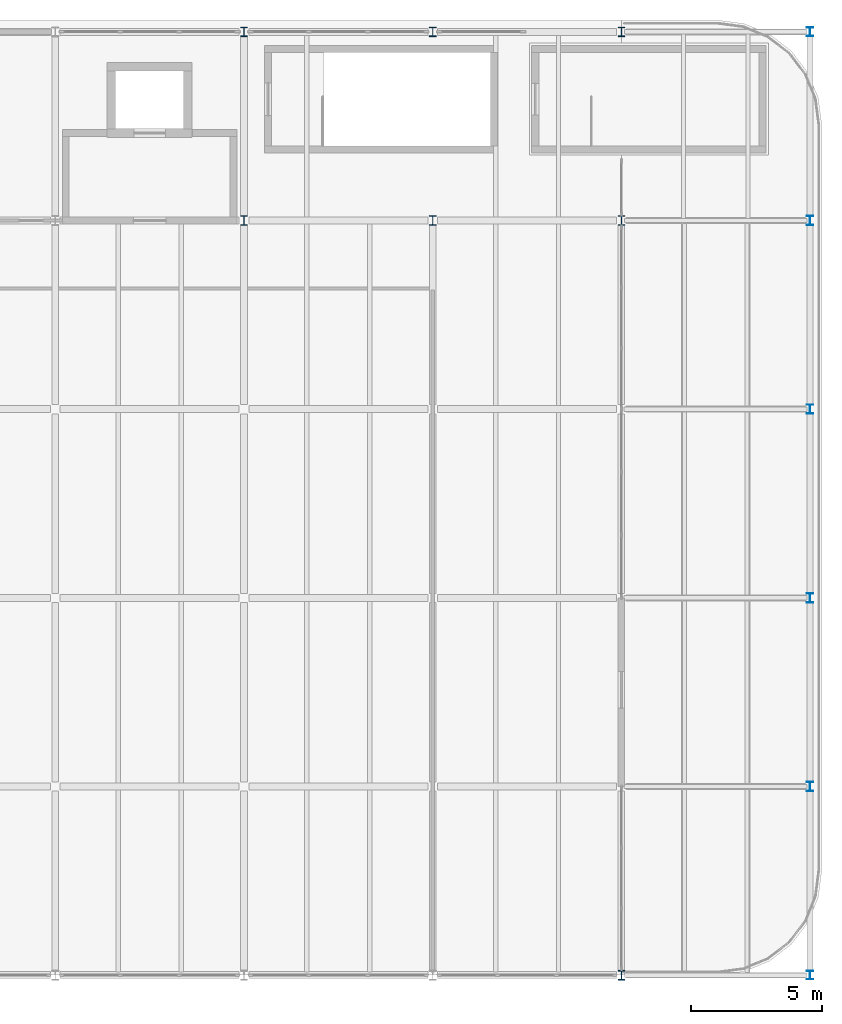
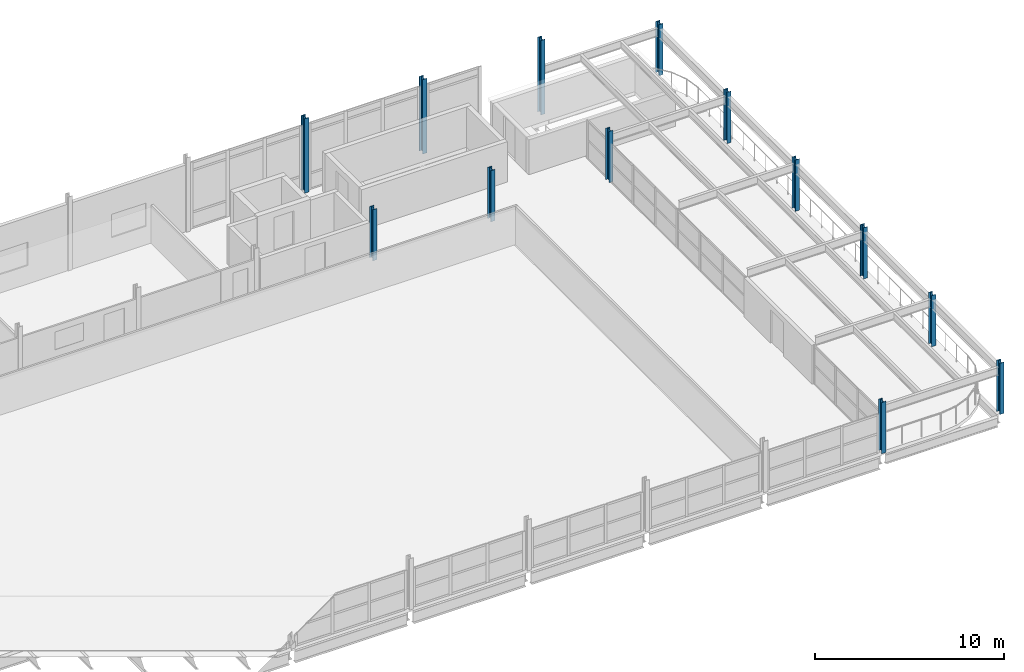
# One storey, part 5 of 25: 13 columns.
"""IFC4 building model written with IfcOpenShell, lengths in metres."""

from ifc_helpers import new_model, si_unit, direction, frame, origin, origin_2d, place, context, subcontext, project, spatial, i_section, extrude, material, material_profile, profile_set, type_object, element, save


model = new_model("IFC4")

# Units and contexts
model_context = context("Model", 3, precision=1e-05, world=origin(), true_north=direction((0.0, 1.0)))
body_context = subcontext(model_context, "Body", "Model", "MODEL_VIEW")
ifc_project = project(units=[si_unit("LENGTHUNIT", "METRE"), si_unit("AREAUNIT", "SQUARE_METRE"), si_unit("VOLUMEUNIT", "CUBIC_METRE"), si_unit("PLANEANGLEUNIT", "RADIAN"), si_unit("MASSUNIT", "GRAM", prefix="KILO")], contexts=[model_context])

# Site, building, storey
site_placement = place(None, origin())
site = spatial("IfcSite", under=ifc_project, at=site_placement, CompositionType="ELEMENT")
building_placement = place(site_placement, origin())
building = spatial("IfcBuilding", under=site, at=building_placement, Name="Vaelcorin Mobility Hub", CompositionType="ELEMENT")
storey_placement = place(building_placement, frame((0.0, 0.0, 21.0)))
storey = spatial("IfcBuildingStorey", under=building, at=storey_placement, Name="L05", CompositionType="ELEMENT", Elevation=21.0)

# Columns
ifc_material = material(Name="Steel ASTM A992 Grade 50", Category="steel")
ifc_material_profile_1 = material_profile(ifc_material, i_section(OverallWidth=0.25390625, OverallDepth=0.35595703125, WebThickness=0.010498046875, FlangeThickness=0.018310546875, FilletRadius=0.014892578125, at=origin_2d()), Name="W14X68")
ifc_profile_set_1 = profile_set([ifc_material_profile_1], Name="Steel ASTM A992 Grade 50")
column_type_1 = type_object("IfcColumnType", Name="COL-W14X68", PredefinedType="COLUMN", material=ifc_profile_set_1)
for number, where, z_axis, x_axis, name in (
    (1, (122.39990234375, 84.0, 0.0), (0.0, 0.0, 1.0), (1.0, 0.0, 0.0), "Column V4-X13Y02 L05"),
    (2, (122.39990234375, 91.199951171875, 0.0), (0.0, 0.0, 1.0), (1.0, 0.0, 0.0), "Column V4-X13Y03 L05"),
    (3, (122.39990234375, 98.39990234375, 0.0), (0.0, 0.0, 1.0), (1.0, 0.0, 0.0), "Column V4-X13Y04 L05"),
    (4, (122.39990234375, 105.60009765625, 0.0), (0.0, 0.0, 1.0), (1.0, 0.0, 0.0), "Column V4-X13Y05 L05"),
    (5, (122.39990234375, 112.800048828125, 0.0), (0.0, 0.0, 1.0), (1.0, 0.0, 0.0), "Column V4-X13Y06 L05"),
    (6, (122.39990234375, 120.0, 0.0), (0.0, 0.0, 1.0), (1.0, 0.0, 0.0), "Column V4-X13Y07 L05"),
):
    element("IfcColumn", number, at=place(storey_placement, frame(where, z_axis=z_axis, x_axis=x_axis)), inside=storey, type_object=column_type_1, Name=name, PredefinedType="COLUMN", context=body_context, shape_type="SweptSolid", body=[
        extrude(i_section(OverallWidth=0.25390625, OverallDepth=0.35595703125, WebThickness=0.010498046875, FlangeThickness=0.018310546875, FilletRadius=0.014892578125, at=origin_2d()), origin(), (0.0, 0.0, 1.0), 3.300048828125),
    ])
ifc_material_profile_2 = material_profile(ifc_material, i_section(OverallWidth=0.257080078125, OverallDepth=0.363037109375, WebThickness=0.012939453125, FlangeThickness=0.021728515625, FilletRadius=0.014892578125, at=origin_2d()), Name="W14X82")
ifc_profile_set_2 = profile_set([ifc_material_profile_2], Name="Steel ASTM A992 Grade 50")
column_type_2 = type_object("IfcColumnType", Name="COL-W14X82", PredefinedType="COLUMN", material=ifc_profile_set_2)
column_1_placement = place(storey_placement, frame((100.800048828125, 112.800048828125, 0.0), z_axis=(0.0, 0.0, 1.0), x_axis=(1.0, 0.0, 0.0)))
element("IfcColumn", 7, at=column_1_placement, inside=storey, type_object=column_type_2, Name="Column V4-X10Y06 L05", PredefinedType="COLUMN", context=body_context, shape_type="SweptSolid", body=[
    extrude(i_section(OverallWidth=0.257080078125, OverallDepth=0.363037109375, WebThickness=0.012939453125, FlangeThickness=0.021728515625, FilletRadius=0.014892578125, at=origin_2d()), origin(), (0.0, 0.0, 1.0), 3.300048828125),
])
column_2_placement = place(storey_placement, frame((100.800048828125, 120.0, 0.0), z_axis=(0.0, 0.0, 1.0), x_axis=(1.0, 0.0, 0.0)))
element("IfcColumn", 8, at=column_2_placement, inside=storey, type_object=column_type_2, Name="Column V4-X10Y07 L05", PredefinedType="COLUMN", context=body_context, shape_type="SweptSolid", body=[
    extrude(i_section(OverallWidth=0.257080078125, OverallDepth=0.363037109375, WebThickness=0.012939453125, FlangeThickness=0.021728515625, FilletRadius=0.014892578125, at=origin_2d()), origin(), (0.0, 0.0, 1.0), 4.800048828125),
])
column_3_placement = place(storey_placement, frame((108.0, 112.800048828125, 0.0), z_axis=(0.0, 0.0, 1.0), x_axis=(1.0, 0.0, 0.0)))
element("IfcColumn", 9, at=column_3_placement, inside=storey, type_object=column_type_2, Name="Column V4-X11Y06 L05", PredefinedType="COLUMN", context=body_context, shape_type="SweptSolid", body=[
    extrude(i_section(OverallWidth=0.257080078125, OverallDepth=0.363037109375, WebThickness=0.012939453125, FlangeThickness=0.021728515625, FilletRadius=0.014892578125, at=origin_2d()), origin(), (0.0, 0.0, 1.0), 3.300048828125),
])
column_4_placement = place(storey_placement, frame((108.0, 120.0, 0.0), z_axis=(0.0, 0.0, 1.0), x_axis=(1.0, 0.0, 0.0)))
element("IfcColumn", 10, at=column_4_placement, inside=storey, type_object=column_type_2, Name="Column V4-X11Y07 L05", PredefinedType="COLUMN", context=body_context, shape_type="SweptSolid", body=[
    extrude(i_section(OverallWidth=0.257080078125, OverallDepth=0.363037109375, WebThickness=0.012939453125, FlangeThickness=0.021728515625, FilletRadius=0.014892578125, at=origin_2d()), origin(), (0.0, 0.0, 1.0), 4.800048828125),
])
for number, where, z_axis, x_axis, name in (
    (11, (115.199951171875, 84.0, 0.0), (0.0, 0.0, 1.0), (1.0, 0.0, 0.0), "Column V4-X12Y02 L05"),
    (12, (115.199951171875, 112.800048828125, 0.0), (0.0, 0.0, 1.0), (1.0, 0.0, 0.0), "Column V4-X12Y06 L05"),
):
    element("IfcColumn", number, at=place(storey_placement, frame(where, z_axis=z_axis, x_axis=x_axis)), inside=storey, type_object=column_type_2, Name=name, PredefinedType="COLUMN", context=body_context, shape_type="SweptSolid", body=[
        extrude(i_section(OverallWidth=0.257080078125, OverallDepth=0.363037109375, WebThickness=0.012939453125, FlangeThickness=0.021728515625, FilletRadius=0.014892578125, at=origin_2d()), origin(), (0.0, 0.0, 1.0), 3.300048828125),
    ])
column_5_placement = place(storey_placement, frame((115.199951171875, 120.0, 0.0), z_axis=(0.0, 0.0, 1.0), x_axis=(1.0, 0.0, 0.0)))
element("IfcColumn", 13, at=column_5_placement, inside=storey, type_object=column_type_2, Name="Column V4-X12Y07 L05", PredefinedType="COLUMN", context=body_context, shape_type="SweptSolid", body=[
    extrude(i_section(OverallWidth=0.257080078125, OverallDepth=0.363037109375, WebThickness=0.012939453125, FlangeThickness=0.021728515625, FilletRadius=0.014892578125, at=origin_2d()), origin(), (0.0, 0.0, 1.0), 4.800048828125),
])

save(model, "model.ifc")
